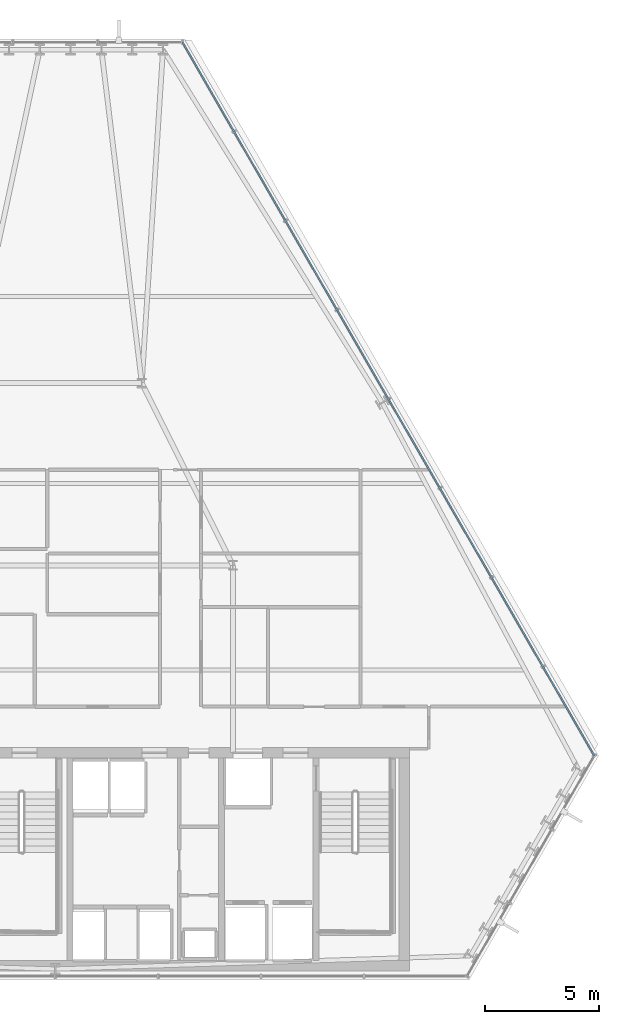
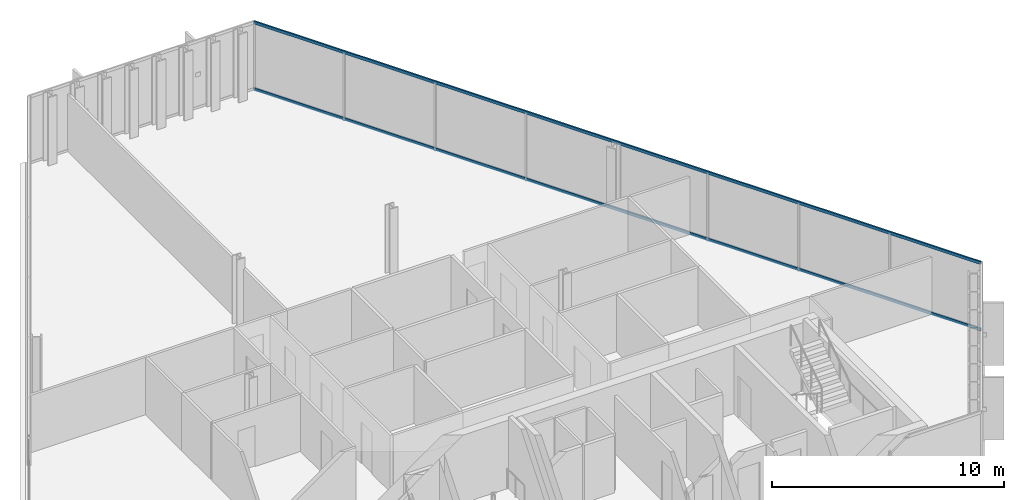
# One storey, part 19 of 33: 2 members, 1 element without a shape of its own.
"""IFC4 building model written with IfcOpenShell, lengths in metres."""

from ifc_helpers import new_model, si_unit, direction, frame, origin, origin_2d, place, context, subcontext, project, spatial, hollow_rectangle, extrude, material, layer, layer_set, material_profile, profile_set, type_object, element, aggregate, save


model = new_model("IFC4")

# Units and contexts
model_context = context("Model", 3, precision=1e-05, world=origin(), true_north=direction((0.0, 1.0)))
body_context = subcontext(model_context, "Body", "Model", "MODEL_VIEW")
ifc_project = project(units=[si_unit("LENGTHUNIT", "METRE"), si_unit("AREAUNIT", "SQUARE_METRE"), si_unit("VOLUMEUNIT", "CUBIC_METRE"), si_unit("PLANEANGLEUNIT", "RADIAN"), si_unit("MASSUNIT", "GRAM", prefix="KILO")], contexts=[model_context])

# Site, building, storey
site_placement = place(None, origin())
site = spatial("IfcSite", under=ifc_project, at=site_placement, CompositionType="ELEMENT")
building_placement = place(site_placement, origin())
building = spatial("IfcBuilding", under=site, at=building_placement, Name="Ndaravel Arena Tower", CompositionType="ELEMENT")
storey_placement = place(building_placement, frame((0.0, 0.0, 149.800048828125)))
storey = spatial("IfcBuildingStorey", under=building, at=storey_placement, Name="L35", CompositionType="ELEMENT", Elevation=149.800048828125)

# Curtain wall, members
ifc_material_1 = material(Name="Aluminium", Category="aluminium")
ifc_layer = layer(ifc_material_1, 0.179931640625)
ifc_layer_set = layer_set([ifc_layer], Name="Aluminium")
curtain_wall_type = type_object("IfcCurtainWallType", Name="CW-SYS-03", PredefinedType="NOTDEFINED", material=ifc_layer_set)
curtain_wall_placement = place(storey_placement, origin())
curtain_wall = element("IfcCurtainWall", 1, at=curtain_wall_placement, inside=storey, type_object=curtain_wall_type, Name="L35 Faceted Crystal Curtain Wall CW-L35-E03", PredefinedType="NOTDEFINED")
ifc_material_2 = material(Name="Aluminium", Category="aluminium")
ifc_material_profile = material_profile(ifc_material_2, hollow_rectangle(XDim=0.074951171875, YDim=0.14990234375, WallThickness=0.00390625, at=origin_2d()), Name="CW TRANSOM 75x150x4")
ifc_profile_set = profile_set([ifc_material_profile], Name="Aluminium")
member_type = type_object("IfcMemberType", Name="MEM-CW-TRN150", PredefinedType="USERDEFINED", material=ifc_profile_set)
member_1_placement = place(storey_placement, frame((65.667724609375, 14.845458984375, 0.0400390625), z_axis=(-0.500000905754, 0.866024880846, 0.0), x_axis=(-0.866024880846, -0.500000905754, 0.0)))
member_1 = element("IfcMember", 2, at=member_1_placement, type_object=member_type, Name="CW-L35-E03 Transom 01", ObjectType="TRANSOM", PredefinedType="USERDEFINED", context=body_context, shape_type="SweptSolid", body=[
    extrude(hollow_rectangle(XDim=0.074951171875, YDim=0.14990234375, WallThickness=0.00390625, at=origin_2d()), origin(), (0.0, 0.0, 1.0), 36.15185546875),
])
member_2_placement = place(storey_placement, frame((65.667724609375, 14.845458984375, 3.5400390625), z_axis=(-0.500000905754, 0.866024880846, 0.0), x_axis=(-0.866024880846, -0.500000905754, 0.0)))
member_2 = element("IfcMember", 3, at=member_2_placement, type_object=member_type, Name="CW-L35-E03 Transom 02", ObjectType="TRANSOM", PredefinedType="USERDEFINED", context=body_context, shape_type="SweptSolid", body=[
    extrude(hollow_rectangle(XDim=0.074951171875, YDim=0.14990234375, WallThickness=0.00390625, at=origin_2d()), origin(), (0.0, 0.0, 1.0), 36.15185546875),
])
aggregate(curtain_wall, [member_1, member_2])

save(model, "model.ifc")
